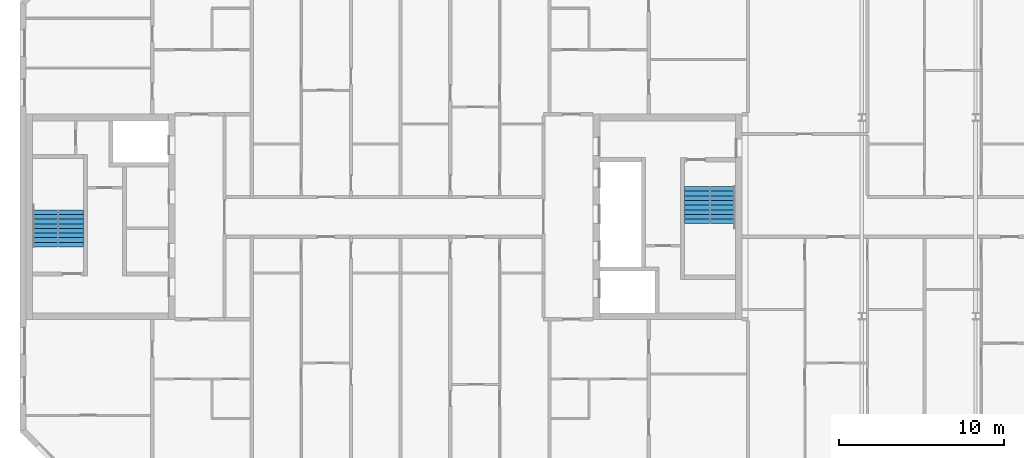
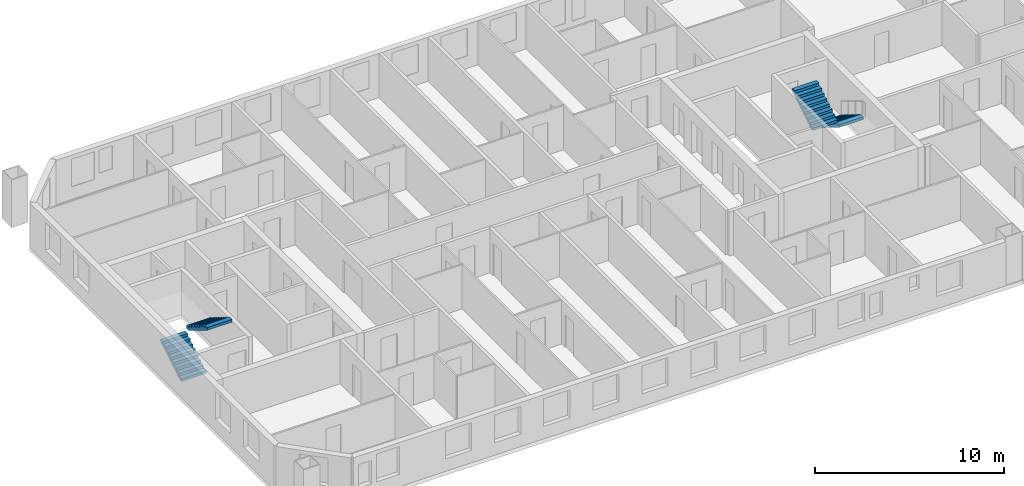
# One storey, part 18 of 19: 4 stair flights, 2 elements without a shape of their own.
"""IFC4 building model written with IfcOpenShell, lengths in metres."""

from ifc_helpers import new_model, si_unit, direction, frame, origin, place, context, subcontext, project, spatial, faceted_brep, material, type_object, element, aggregate, save


model = new_model("IFC4")

# Units and contexts
model_context = context("Model", 3, precision=1e-05, world=origin(), true_north=direction((0.0, 1.0)))
body_context = subcontext(model_context, "Body", "Model", "MODEL_VIEW")
ifc_project = project(units=[si_unit("LENGTHUNIT", "METRE"), si_unit("AREAUNIT", "SQUARE_METRE"), si_unit("VOLUMEUNIT", "CUBIC_METRE"), si_unit("PLANEANGLEUNIT", "RADIAN"), si_unit("MASSUNIT", "GRAM", prefix="KILO")], contexts=[model_context])

# Site, building, storey
site_placement = place(None, origin())
site = spatial("IfcSite", under=ifc_project, at=site_placement, CompositionType="ELEMENT")
building_placement = place(site_placement, origin())
building = spatial("IfcBuilding", under=site, at=building_placement, Name="Tuart Gate Housing", CompositionType="ELEMENT")
storey_placement = place(building_placement, frame((0.0, 0.0, 212.10009765625)))
storey = spatial("IfcBuildingStorey", under=building, at=storey_placement, Name="L60", CompositionType="ELEMENT", Elevation=212.10009765625)

# Stair, stair flights
ifc_material_1 = material(Name="Concrete C40", Category="concrete")
stair_type = type_object("IfcStairType", Name="Core stair 1500", PredefinedType="HALF_TURN_STAIR", material=ifc_material_1)
stair_1_placement = place(storey_placement, origin())
stair_1 = element("IfcStair", 1, at=stair_1_placement, inside=storey, type_object=stair_type, Name="Stair SA1", PredefinedType="HALF_TURN_STAIR")
ifc_material_2 = material(Name="Concrete C40", Category="concrete")
stair_flight_type = type_object("IfcStairFlightType", Name="Stair flight 1500, 9 risers 172 x 280", PredefinedType="STRAIGHT", material=ifc_material_2)
stair_flight_1_placement = place(storey_placement, frame((74.489990234375, 71.824951171875, 0.0), z_axis=(0.0, 0.0, 1.0), x_axis=(0.0, -1.0, 0.0)))
stair_flight_1 = element("IfcStairFlight", 2, at=stair_flight_1_placement, type_object=stair_flight_type, Name="SA1 flight 1", NumberOfRisers=9, NumberOfTreads=8, PredefinedType="STRAIGHT", RiserHeight=0.172222222, TreadLength=0.28, context=body_context, shape_type="Brep", body=[
    faceted_brep([(0.0, 0.75, 0.0), (0.0, 0.75, 0.172119140625), (0.280029296875, 0.75, 0.172119140625), (0.280029296875, 0.75, 0.344482421875), (0.56005859375, 0.75, 0.344482421875), (0.56005859375, 0.75, 0.5166015625), (0.840087890625, 0.75, 0.5166015625), (0.840087890625, 0.75, 0.68896484375), (1.1201171875, 0.75, 0.68896484375), (1.1201171875, 0.75, 0.861083984375), (1.39990234375, 0.75, 0.861083984375), (1.39990234375, 0.75, 1.033447265625), (1.679931640625, 0.75, 1.033447265625), (1.679931640625, 0.75, 1.20556640625), (1.9599609375, 0.75, 1.20556640625), (1.9599609375, 0.75, 1.377685546875), (2.239990234375, 0.75, 1.377685546875), (2.239990234375, 0.75, 1.201904296875), (0.2861328125, 0.75, 0.0), (0.2861328125, -0.75, 0.0), (2.239990234375, -0.75, 1.201904296875), (2.239990234375, -0.75, 1.377685546875), (1.9599609375, -0.75, 1.377685546875), (1.9599609375, -0.75, 1.20556640625), (1.679931640625, -0.75, 1.20556640625), (1.679931640625, -0.75, 1.033447265625), (1.39990234375, -0.75, 1.033447265625), (1.39990234375, -0.75, 0.861083984375), (1.1201171875, -0.75, 0.861083984375), (1.1201171875, -0.75, 0.68896484375), (0.840087890625, -0.75, 0.68896484375), (0.840087890625, -0.75, 0.5166015625), (0.56005859375, -0.75, 0.5166015625), (0.56005859375, -0.75, 0.344482421875), (0.280029296875, -0.75, 0.344482421875), (0.280029296875, -0.75, 0.172119140625), (0.0, -0.75, 0.172119140625), (0.0, -0.75, 0.0), (2.239990234375, 0.0, 1.201904296875), (0.2861328125, 0.0, 0.0), (2.239990234375, 0.0, 1.377685546875), (1.9599609375, 0.0, 1.377685546875), (1.9599609375, 0.0, 1.20556640625), (1.679931640625, 0.0, 1.20556640625), (1.679931640625, 0.0, 1.033447265625), (1.39990234375, 0.0, 1.033447265625), (1.39990234375, 0.0, 0.861083984375), (1.1201171875, 0.0, 0.861083984375), (1.1201171875, 0.0, 0.68896484375), (0.840087890625, 0.0, 0.68896484375), (0.840087890625, 0.0, 0.5166015625), (0.56005859375, 0.0, 0.5166015625), (0.56005859375, 0.0, 0.344482421875), (0.280029296875, 0.0, 0.344482421875), (0.280029296875, 0.0, 0.172119140625), (0.0, 0.0, 0.172119140625), (0.0, 0.0, 0.0)], [[[0, 1, 2, 3, 4, 5, 6, 7, 8, 9, 10, 11, 12, 13, 14, 15, 16, 17, 18]], [[19, 20, 21, 22, 23, 24, 25, 26, 27, 28, 29, 30, 31, 32, 33, 34, 35, 36, 37]], [[18, 17, 38, 39]], [[39, 38, 20, 19]], [[17, 16, 40, 38]], [[38, 40, 21, 20]], [[16, 15, 41, 40]], [[40, 41, 22, 21]], [[15, 14, 42, 41]], [[41, 42, 23, 22]], [[14, 13, 43, 42]], [[42, 43, 24, 23]], [[13, 12, 44, 43]], [[43, 44, 25, 24]], [[12, 11, 45, 44]], [[44, 45, 26, 25]], [[11, 10, 46, 45]], [[45, 46, 27, 26]], [[10, 9, 47, 46]], [[46, 47, 28, 27]], [[9, 8, 48, 47]], [[47, 48, 29, 28]], [[8, 7, 49, 48]], [[48, 49, 30, 29]], [[7, 6, 50, 49]], [[49, 50, 31, 30]], [[6, 5, 51, 50]], [[50, 51, 32, 31]], [[5, 4, 52, 51]], [[51, 52, 33, 32]], [[4, 3, 53, 52]], [[52, 53, 34, 33]], [[3, 2, 54, 53]], [[53, 54, 35, 34]], [[2, 1, 55, 54]], [[54, 55, 36, 35]], [[1, 0, 56, 55]], [[55, 56, 37, 36]], [[0, 18, 39, 56]], [[56, 39, 19, 37]]]),
])
stair_flight_2_placement = place(storey_placement, frame((72.9150390625, 69.5849609375, 1.5498046875), z_axis=(0.0, 0.0, 1.0), x_axis=(0.0, 1.0, 0.0)))
stair_flight_2 = element("IfcStairFlight", 3, at=stair_flight_2_placement, type_object=stair_flight_type, Name="SA1 flight 2", NumberOfRisers=9, NumberOfTreads=8, PredefinedType="STRAIGHT", RiserHeight=0.172222222, TreadLength=0.28, context=body_context, shape_type="Brep", body=[
    faceted_brep([(0.0, 0.75, 0.0), (0.0, 0.75, 0.172119140625), (0.280029296875, 0.75, 0.172119140625), (0.280029296875, 0.75, 0.344482421875), (0.56005859375, 0.75, 0.344482421875), (0.56005859375, 0.75, 0.5166015625), (0.840087890625, 0.75, 0.5166015625), (0.840087890625, 0.75, 0.68896484375), (1.1201171875, 0.75, 0.68896484375), (1.1201171875, 0.75, 0.861083984375), (1.39990234375, 0.75, 0.861083984375), (1.39990234375, 0.75, 1.033447265625), (1.679931640625, 0.75, 1.033447265625), (1.679931640625, 0.75, 1.20556640625), (1.9599609375, 0.75, 1.20556640625), (1.9599609375, 0.75, 1.377685546875), (2.239990234375, 0.75, 1.377685546875), (2.239990234375, 0.75, 1.201904296875), (0.2861328125, 0.75, 0.0), (0.2861328125, -0.75, 0.0), (2.239990234375, -0.75, 1.201904296875), (2.239990234375, -0.75, 1.377685546875), (1.9599609375, -0.75, 1.377685546875), (1.9599609375, -0.75, 1.20556640625), (1.679931640625, -0.75, 1.20556640625), (1.679931640625, -0.75, 1.033447265625), (1.39990234375, -0.75, 1.033447265625), (1.39990234375, -0.75, 0.861083984375), (1.1201171875, -0.75, 0.861083984375), (1.1201171875, -0.75, 0.68896484375), (0.840087890625, -0.75, 0.68896484375), (0.840087890625, -0.75, 0.5166015625), (0.56005859375, -0.75, 0.5166015625), (0.56005859375, -0.75, 0.344482421875), (0.280029296875, -0.75, 0.344482421875), (0.280029296875, -0.75, 0.172119140625), (0.0, -0.75, 0.172119140625), (0.0, -0.75, 0.0), (2.239990234375, 0.0, 1.201904296875), (0.2861328125, 0.0, 0.0), (2.239990234375, 0.0, 1.377685546875), (1.9599609375, 0.0, 1.377685546875), (1.9599609375, 0.0, 1.20556640625), (1.679931640625, 0.0, 1.20556640625), (1.679931640625, 0.0, 1.033447265625), (1.39990234375, 0.0, 1.033447265625), (1.39990234375, 0.0, 0.861083984375), (1.1201171875, 0.0, 0.861083984375), (1.1201171875, 0.0, 0.68896484375), (0.840087890625, 0.0, 0.68896484375), (0.840087890625, 0.0, 0.5166015625), (0.56005859375, 0.0, 0.5166015625), (0.56005859375, 0.0, 0.344482421875), (0.280029296875, 0.0, 0.344482421875), (0.280029296875, 0.0, 0.172119140625), (0.0, 0.0, 0.172119140625), (0.0, 0.0, 0.0)], [[[0, 1, 2, 3, 4, 5, 6, 7, 8, 9, 10, 11, 12, 13, 14, 15, 16, 17, 18]], [[19, 20, 21, 22, 23, 24, 25, 26, 27, 28, 29, 30, 31, 32, 33, 34, 35, 36, 37]], [[18, 17, 38, 39]], [[39, 38, 20, 19]], [[17, 16, 40, 38]], [[38, 40, 21, 20]], [[16, 15, 41, 40]], [[40, 41, 22, 21]], [[15, 14, 42, 41]], [[41, 42, 23, 22]], [[14, 13, 43, 42]], [[42, 43, 24, 23]], [[13, 12, 44, 43]], [[43, 44, 25, 24]], [[12, 11, 45, 44]], [[44, 45, 26, 25]], [[11, 10, 46, 45]], [[45, 46, 27, 26]], [[10, 9, 47, 46]], [[46, 47, 28, 27]], [[9, 8, 48, 47]], [[47, 48, 29, 28]], [[8, 7, 49, 48]], [[48, 49, 30, 29]], [[7, 6, 50, 49]], [[49, 50, 31, 30]], [[6, 5, 51, 50]], [[50, 51, 32, 31]], [[5, 4, 52, 51]], [[51, 52, 33, 32]], [[4, 3, 53, 52]], [[52, 53, 34, 33]], [[3, 2, 54, 53]], [[53, 54, 35, 34]], [[2, 1, 55, 54]], [[54, 55, 36, 35]], [[1, 0, 56, 55]], [[55, 56, 37, 36]], [[0, 18, 39, 56]], [[56, 39, 19, 37]]]),
])
aggregate(stair_1, [stair_flight_1, stair_flight_2])

stair_2_placement = place(storey_placement, origin())
stair_2 = element("IfcStair", 4, at=stair_2_placement, inside=storey, type_object=stair_type, Name="Stair SA2", PredefinedType="HALF_TURN_STAIR")
stair_flight_3_placement = place(storey_placement, frame((33.510009765625, 68.175048828125, 0.0), z_axis=(0.0, 0.0, 1.0), x_axis=(0.0, 1.0, 0.0)))
stair_flight_3 = element("IfcStairFlight", 5, at=stair_flight_3_placement, type_object=stair_flight_type, Name="SA2 flight 1", NumberOfRisers=9, NumberOfTreads=8, PredefinedType="STRAIGHT", RiserHeight=0.172222222, TreadLength=0.28, context=body_context, shape_type="Brep", body=[
    faceted_brep([(0.0, 0.75, 0.0), (0.0, 0.75, 0.172119140625), (0.280029296875, 0.75, 0.172119140625), (0.280029296875, 0.75, 0.344482421875), (0.56005859375, 0.75, 0.344482421875), (0.56005859375, 0.75, 0.5166015625), (0.840087890625, 0.75, 0.5166015625), (0.840087890625, 0.75, 0.68896484375), (1.1201171875, 0.75, 0.68896484375), (1.1201171875, 0.75, 0.861083984375), (1.39990234375, 0.75, 0.861083984375), (1.39990234375, 0.75, 1.033447265625), (1.679931640625, 0.75, 1.033447265625), (1.679931640625, 0.75, 1.20556640625), (1.9599609375, 0.75, 1.20556640625), (1.9599609375, 0.75, 1.377685546875), (2.239990234375, 0.75, 1.377685546875), (2.239990234375, 0.75, 1.201904296875), (0.2861328125, 0.75, 0.0), (0.2861328125, -0.75, 0.0), (2.239990234375, -0.75, 1.201904296875), (2.239990234375, -0.75, 1.377685546875), (1.9599609375, -0.75, 1.377685546875), (1.9599609375, -0.75, 1.20556640625), (1.679931640625, -0.75, 1.20556640625), (1.679931640625, -0.75, 1.033447265625), (1.39990234375, -0.75, 1.033447265625), (1.39990234375, -0.75, 0.861083984375), (1.1201171875, -0.75, 0.861083984375), (1.1201171875, -0.75, 0.68896484375), (0.840087890625, -0.75, 0.68896484375), (0.840087890625, -0.75, 0.5166015625), (0.56005859375, -0.75, 0.5166015625), (0.56005859375, -0.75, 0.344482421875), (0.280029296875, -0.75, 0.344482421875), (0.280029296875, -0.75, 0.172119140625), (0.0, -0.75, 0.172119140625), (0.0, -0.75, 0.0), (2.239990234375, 0.0, 1.201904296875), (0.2861328125, 0.0, 0.0), (2.239990234375, 0.0, 1.377685546875), (1.9599609375, 0.0, 1.377685546875), (1.9599609375, 0.0, 1.20556640625), (1.679931640625, 0.0, 1.20556640625), (1.679931640625, 0.0, 1.033447265625), (1.39990234375, 0.0, 1.033447265625), (1.39990234375, 0.0, 0.861083984375), (1.1201171875, 0.0, 0.861083984375), (1.1201171875, 0.0, 0.68896484375), (0.840087890625, 0.0, 0.68896484375), (0.840087890625, 0.0, 0.5166015625), (0.56005859375, 0.0, 0.5166015625), (0.56005859375, 0.0, 0.344482421875), (0.280029296875, 0.0, 0.344482421875), (0.280029296875, 0.0, 0.172119140625), (0.0, 0.0, 0.172119140625), (0.0, 0.0, 0.0)], [[[0, 1, 2, 3, 4, 5, 6, 7, 8, 9, 10, 11, 12, 13, 14, 15, 16, 17, 18]], [[19, 20, 21, 22, 23, 24, 25, 26, 27, 28, 29, 30, 31, 32, 33, 34, 35, 36, 37]], [[18, 17, 38, 39]], [[39, 38, 20, 19]], [[17, 16, 40, 38]], [[38, 40, 21, 20]], [[16, 15, 41, 40]], [[40, 41, 22, 21]], [[15, 14, 42, 41]], [[41, 42, 23, 22]], [[14, 13, 43, 42]], [[42, 43, 24, 23]], [[13, 12, 44, 43]], [[43, 44, 25, 24]], [[12, 11, 45, 44]], [[44, 45, 26, 25]], [[11, 10, 46, 45]], [[45, 46, 27, 26]], [[10, 9, 47, 46]], [[46, 47, 28, 27]], [[9, 8, 48, 47]], [[47, 48, 29, 28]], [[8, 7, 49, 48]], [[48, 49, 30, 29]], [[7, 6, 50, 49]], [[49, 50, 31, 30]], [[6, 5, 51, 50]], [[50, 51, 32, 31]], [[5, 4, 52, 51]], [[51, 52, 33, 32]], [[4, 3, 53, 52]], [[52, 53, 34, 33]], [[3, 2, 54, 53]], [[53, 54, 35, 34]], [[2, 1, 55, 54]], [[54, 55, 36, 35]], [[1, 0, 56, 55]], [[55, 56, 37, 36]], [[0, 18, 39, 56]], [[56, 39, 19, 37]]]),
])
stair_flight_4_placement = place(storey_placement, frame((35.0849609375, 70.4150390625, 1.5498046875), z_axis=(0.0, 0.0, 1.0), x_axis=(0.0, -1.0, 0.0)))
stair_flight_4 = element("IfcStairFlight", 6, at=stair_flight_4_placement, type_object=stair_flight_type, Name="SA2 flight 2", NumberOfRisers=9, NumberOfTreads=8, PredefinedType="STRAIGHT", RiserHeight=0.172222222, TreadLength=0.28, context=body_context, shape_type="Brep", body=[
    faceted_brep([(0.0, 0.75, 0.0), (0.0, 0.75, 0.172119140625), (0.280029296875, 0.75, 0.172119140625), (0.280029296875, 0.75, 0.344482421875), (0.56005859375, 0.75, 0.344482421875), (0.56005859375, 0.75, 0.5166015625), (0.840087890625, 0.75, 0.5166015625), (0.840087890625, 0.75, 0.68896484375), (1.1201171875, 0.75, 0.68896484375), (1.1201171875, 0.75, 0.861083984375), (1.39990234375, 0.75, 0.861083984375), (1.39990234375, 0.75, 1.033447265625), (1.679931640625, 0.75, 1.033447265625), (1.679931640625, 0.75, 1.20556640625), (1.9599609375, 0.75, 1.20556640625), (1.9599609375, 0.75, 1.377685546875), (2.239990234375, 0.75, 1.377685546875), (2.239990234375, 0.75, 1.201904296875), (0.2861328125, 0.75, 0.0), (0.2861328125, -0.75, 0.0), (2.239990234375, -0.75, 1.201904296875), (2.239990234375, -0.75, 1.377685546875), (1.9599609375, -0.75, 1.377685546875), (1.9599609375, -0.75, 1.20556640625), (1.679931640625, -0.75, 1.20556640625), (1.679931640625, -0.75, 1.033447265625), (1.39990234375, -0.75, 1.033447265625), (1.39990234375, -0.75, 0.861083984375), (1.1201171875, -0.75, 0.861083984375), (1.1201171875, -0.75, 0.68896484375), (0.840087890625, -0.75, 0.68896484375), (0.840087890625, -0.75, 0.5166015625), (0.56005859375, -0.75, 0.5166015625), (0.56005859375, -0.75, 0.344482421875), (0.280029296875, -0.75, 0.344482421875), (0.280029296875, -0.75, 0.172119140625), (0.0, -0.75, 0.172119140625), (0.0, -0.75, 0.0), (2.239990234375, 0.0, 1.201904296875), (0.2861328125, 0.0, 0.0), (2.239990234375, 0.0, 1.377685546875), (1.9599609375, 0.0, 1.377685546875), (1.9599609375, 0.0, 1.20556640625), (1.679931640625, 0.0, 1.20556640625), (1.679931640625, 0.0, 1.033447265625), (1.39990234375, 0.0, 1.033447265625), (1.39990234375, 0.0, 0.861083984375), (1.1201171875, 0.0, 0.861083984375), (1.1201171875, 0.0, 0.68896484375), (0.840087890625, 0.0, 0.68896484375), (0.840087890625, 0.0, 0.5166015625), (0.56005859375, 0.0, 0.5166015625), (0.56005859375, 0.0, 0.344482421875), (0.280029296875, 0.0, 0.344482421875), (0.280029296875, 0.0, 0.172119140625), (0.0, 0.0, 0.172119140625), (0.0, 0.0, 0.0)], [[[0, 1, 2, 3, 4, 5, 6, 7, 8, 9, 10, 11, 12, 13, 14, 15, 16, 17, 18]], [[19, 20, 21, 22, 23, 24, 25, 26, 27, 28, 29, 30, 31, 32, 33, 34, 35, 36, 37]], [[18, 17, 38, 39]], [[39, 38, 20, 19]], [[17, 16, 40, 38]], [[38, 40, 21, 20]], [[16, 15, 41, 40]], [[40, 41, 22, 21]], [[15, 14, 42, 41]], [[41, 42, 23, 22]], [[14, 13, 43, 42]], [[42, 43, 24, 23]], [[13, 12, 44, 43]], [[43, 44, 25, 24]], [[12, 11, 45, 44]], [[44, 45, 26, 25]], [[11, 10, 46, 45]], [[45, 46, 27, 26]], [[10, 9, 47, 46]], [[46, 47, 28, 27]], [[9, 8, 48, 47]], [[47, 48, 29, 28]], [[8, 7, 49, 48]], [[48, 49, 30, 29]], [[7, 6, 50, 49]], [[49, 50, 31, 30]], [[6, 5, 51, 50]], [[50, 51, 32, 31]], [[5, 4, 52, 51]], [[51, 52, 33, 32]], [[4, 3, 53, 52]], [[52, 53, 34, 33]], [[3, 2, 54, 53]], [[53, 54, 35, 34]], [[2, 1, 55, 54]], [[54, 55, 36, 35]], [[1, 0, 56, 55]], [[55, 56, 37, 36]], [[0, 18, 39, 56]], [[56, 39, 19, 37]]]),
])
aggregate(stair_2, [stair_flight_3, stair_flight_4])

save(model, "model.ifc")
